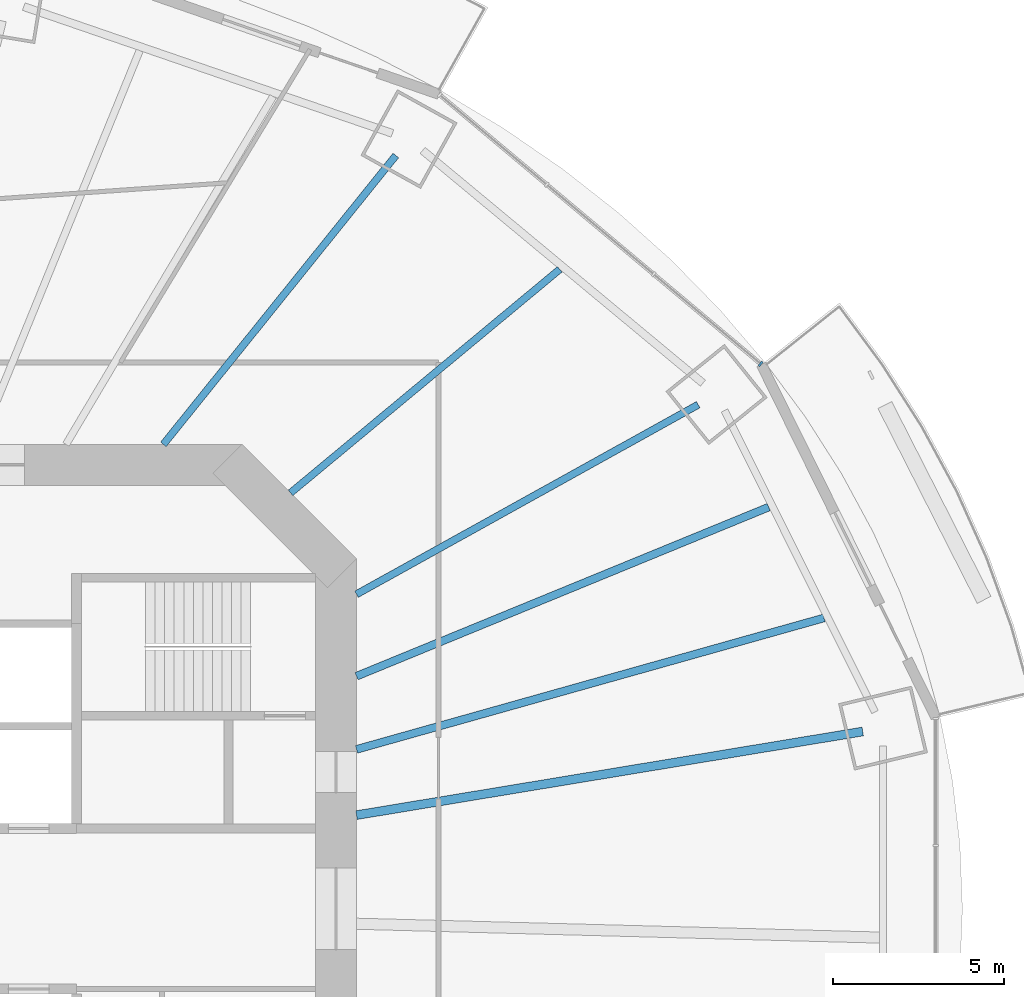
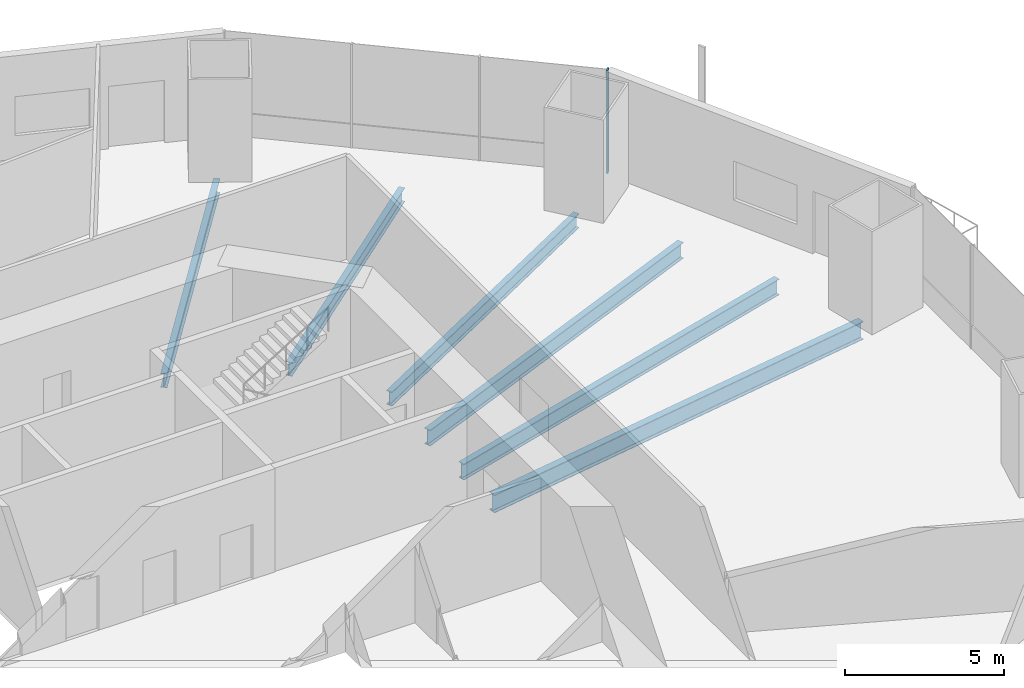
# One storey, part 8 of 22: 6 beams, 1 member, 1 element without a shape of its own.
"""IFC4 building model written with IfcOpenShell, lengths in metres."""

from ifc_helpers import new_model, si_unit, direction, frame, origin, origin_2d, place, context, subcontext, project, spatial, rectangle, i_section, extrude, material, material_profile, profile_set, type_object, element, aggregate, save


model = new_model("IFC4")

# Units and contexts
model_context = context("Model", 3, precision=1e-05, world=origin(), true_north=direction((0.0, 1.0)))
body_context = subcontext(model_context, "Body", "Model", "MODEL_VIEW")
ifc_project = project(units=[si_unit("LENGTHUNIT", "METRE"), si_unit("AREAUNIT", "SQUARE_METRE"), si_unit("VOLUMEUNIT", "CUBIC_METRE"), si_unit("PLANEANGLEUNIT", "RADIAN"), si_unit("MASSUNIT", "GRAM", prefix="KILO")], contexts=[model_context])

# Site, building, storey
site_placement = place(None, origin())
site = spatial("IfcSite", under=ifc_project, at=site_placement, CompositionType="ELEMENT")
building_placement = place(site_placement, origin())
building = spatial("IfcBuilding", under=site, at=building_placement, Name="Marenthal Gate Tower", CompositionType="ELEMENT")
storey_placement = place(building_placement, frame((0.0, 0.0, 116.0)))
storey = spatial("IfcBuildingStorey", under=building, at=storey_placement, Name="L24", CompositionType="ELEMENT", Elevation=116.0)

# Curtain wall, member
ifc_material_1 = material(Name="Aluminium and glass", Category="aluminium")
curtain_wall_type = type_object("IfcCurtainWallType", Name="Curtain wall typical low", PredefinedType="NOTDEFINED", material=ifc_material_1)
curtain_wall_placement = place(storey_placement, origin())
curtain_wall = element("IfcCurtainWall", 1, at=curtain_wall_placement, inside=storey, type_object=curtain_wall_type, Name="Curtain wall L24 bay 2", PredefinedType="NOTDEFINED")
ifc_material_2 = material(Name="Aluminium", Category="aluminium")
ifc_material_profile_1 = material_profile(ifc_material_2, rectangle(XDim=0.159912109375, YDim=0.06005859375, at=origin_2d()), Name="60x160 aluminium mullion")
ifc_profile_set_1 = profile_set([ifc_material_profile_1], Name="Aluminium")
member_type = type_object("IfcMemberType", Name="Mullion 60x160 typical low", PredefinedType="MULLION", material=ifc_profile_set_1)
member_placement = place(storey_placement, frame((28.434814453125, 15.95751953125, 0.0), z_axis=(0.0, 0.0, 1.0), x_axis=(-0.642377082487, -0.766388728972, 0.0)))
member = element("IfcMember", 2, at=member_placement, type_object=member_type, Name="Mullion L24 bay 2.1", PredefinedType="MULLION", context=body_context, shape_type="SweptSolid", body=[
    extrude(rectangle(XDim=0.159912109375, YDim=0.06005859375, at=origin_2d()), origin(), (0.0, 0.0, 1.0), 3.969970703125),
])
aggregate(curtain_wall, [member])

# Beams
ifc_material_3 = material(Name="Steel S355", Category="steel")
ifc_material_profile_2 = material_profile(ifc_material_3, i_section(OverallWidth=0.2099609375, OverallDepth=0.535888671875, WebThickness=0.010986328125, FlangeThickness=0.017333984375, FilletRadius=0.0126953125, at=origin_2d()), Name="W530X101")
ifc_profile_set_2 = profile_set([ifc_material_profile_2], Name="Steel S355")
beam_type_1 = type_object("IfcBeamType", Name="W530X101 beam", PredefinedType="BEAM", material=ifc_profile_set_2)
beam_1_placement = place(storey_placement, frame((22.551025390625, 18.7255859375, -0.447998046875), z_axis=(-0.769343150929, -0.638835750501, 0.0), x_axis=(0.638835750501, -0.769343150929, 0.0)))
element("IfcBeam", 3, at=beam_1_placement, inside=storey, type_object=beam_type_1, Name="BM-L24-19", PredefinedType="BEAM", context=body_context, shape_type="SweptSolid", body=[
    extrude(i_section(OverallWidth=0.2099609375, OverallDepth=0.535888671875, WebThickness=0.010986328125, FlangeThickness=0.017333984375, FilletRadius=0.0126953125, at=origin_2d()), origin(), (0.0, 0.0, 1.0), 10.245849609375),
])
ifc_material_4 = material(Name="Steel S355", Category="steel")
ifc_material_profile_3 = material_profile(ifc_material_4, i_section(OverallWidth=0.2119140625, OverallDepth=0.5439453125, WebThickness=0.01318359375, FlangeThickness=0.021240234375, FilletRadius=0.0126953125, at=origin_2d()), Name="W530X123")
ifc_profile_set_3 = profile_set([ifc_material_profile_3], Name="Steel S355")
beam_type_2 = type_object("IfcBeamType", Name="W530X123 beam", PredefinedType="BEAM", material=ifc_profile_set_3)
beam_2_placement = place(storey_placement, frame((26.605224609375, 14.761474609375, -0.451904296875), z_axis=(-0.87442184895, -0.485166394218, 0.0), x_axis=(0.485166394218, -0.87442184895, 0.0)))
element("IfcBeam", 4, at=beam_2_placement, inside=storey, type_object=beam_type_2, Name="BM-L24-02", PredefinedType="BEAM", context=body_context, shape_type="SweptSolid", body=[
    extrude(i_section(OverallWidth=0.2119140625, OverallDepth=0.5439453125, WebThickness=0.01318359375, FlangeThickness=0.021240234375, FilletRadius=0.0126953125, at=origin_2d()), origin(), (0.0, 0.0, 1.0), 11.44189453125),
])
beam_3_placement = place(storey_placement, frame((17.750732421875, 22.059326171875, -0.451904296875), z_axis=(-0.626924535124, -0.779079987716, 0.0), x_axis=(0.779079987716, -0.626924535124, 0.0)))
element("IfcBeam", 5, at=beam_3_placement, inside=storey, type_object=beam_type_2, Name="BM-L24-03", PredefinedType="BEAM", context=body_context, shape_type="SweptSolid", body=[
    extrude(i_section(OverallWidth=0.2119140625, OverallDepth=0.5439453125, WebThickness=0.01318359375, FlangeThickness=0.021240234375, FilletRadius=0.0126953125, at=origin_2d()), origin(), (0.0, 0.0, 1.0), 10.85791015625),
])
ifc_material_5 = material(Name="Steel S355", Category="steel")
ifc_material_profile_4 = material_profile(ifc_material_5, i_section(OverallWidth=0.22900390625, OverallDepth=0.612060546875, WebThickness=0.011962890625, FlangeThickness=0.01953125, FilletRadius=0.0126953125, at=origin_2d()), Name="W610X125")
ifc_profile_set_4 = profile_set([ifc_material_profile_4], Name="Steel S355")
beam_type_3 = type_object("IfcBeamType", Name="W610X125 beam", PredefinedType="BEAM", material=ifc_profile_set_4)
beam_4_placement = place(storey_placement, frame((30.2900390625, 8.5166015625, -0.486083984375), z_axis=(-0.962672470775, -0.270669011917, 0.0), x_axis=(0.270669011917, -0.962672470775, 0.0)))
element("IfcBeam", 6, at=beam_4_placement, inside=storey, type_object=beam_type_3, Name="BM-L24-17", PredefinedType="BEAM", context=body_context, shape_type="SweptSolid", body=[
    extrude(i_section(OverallWidth=0.22900390625, OverallDepth=0.612060546875, WebThickness=0.011962890625, FlangeThickness=0.01953125, FilletRadius=0.0126953125, at=origin_2d()), origin(), (0.0, 0.0, 1.0), 14.220703125),
])
beam_5_placement = place(storey_placement, frame((28.670654296875, 11.7626953125, -0.486083984375), z_axis=(-0.925165248612, -0.379564569949, 0.0), x_axis=(0.379564569949, -0.925165248612, 0.0)))
element("IfcBeam", 7, at=beam_5_placement, inside=storey, type_object=beam_type_3, Name="BM-L24-18", PredefinedType="BEAM", context=body_context, shape_type="SweptSolid", body=[
    extrude(i_section(OverallWidth=0.22900390625, OverallDepth=0.612060546875, WebThickness=0.011962890625, FlangeThickness=0.01953125, FilletRadius=0.0126953125, at=origin_2d()), origin(), (0.0, 0.0, 1.0), 13.046875),
])
ifc_material_6 = material(Name="Steel S355", Category="steel")
ifc_material_profile_5 = material_profile(ifc_material_6, i_section(OverallWidth=0.257080078125, OverallDepth=0.693115234375, WebThickness=0.014404296875, FlangeThickness=0.023681640625, FilletRadius=0.015380859375, at=origin_2d()), Name="W690X170")
ifc_profile_set_5 = profile_set([ifc_material_profile_5], Name="Steel S355")
beam_type_4 = type_object("IfcBeamType", Name="W690X170 beam", PredefinedType="BEAM", material=ifc_profile_set_5)
beam_6_placement = place(storey_placement, frame((31.423828125, 5.190185546875, -0.526611328125), z_axis=(-0.986631792526, -0.162965352074, 0.0), x_axis=(0.162965352074, -0.986631792526, 0.0)))
element("IfcBeam", 8, at=beam_6_placement, inside=storey, type_object=beam_type_4, Name="BM-L24-01", PredefinedType="BEAM", context=body_context, shape_type="SweptSolid", body=[
    extrude(i_section(OverallWidth=0.257080078125, OverallDepth=0.693115234375, WebThickness=0.014404296875, FlangeThickness=0.023681640625, FilletRadius=0.015380859375, at=origin_2d()), origin(), (0.0, 0.0, 1.0), 15.024658203125),
])

save(model, "model.ifc")
